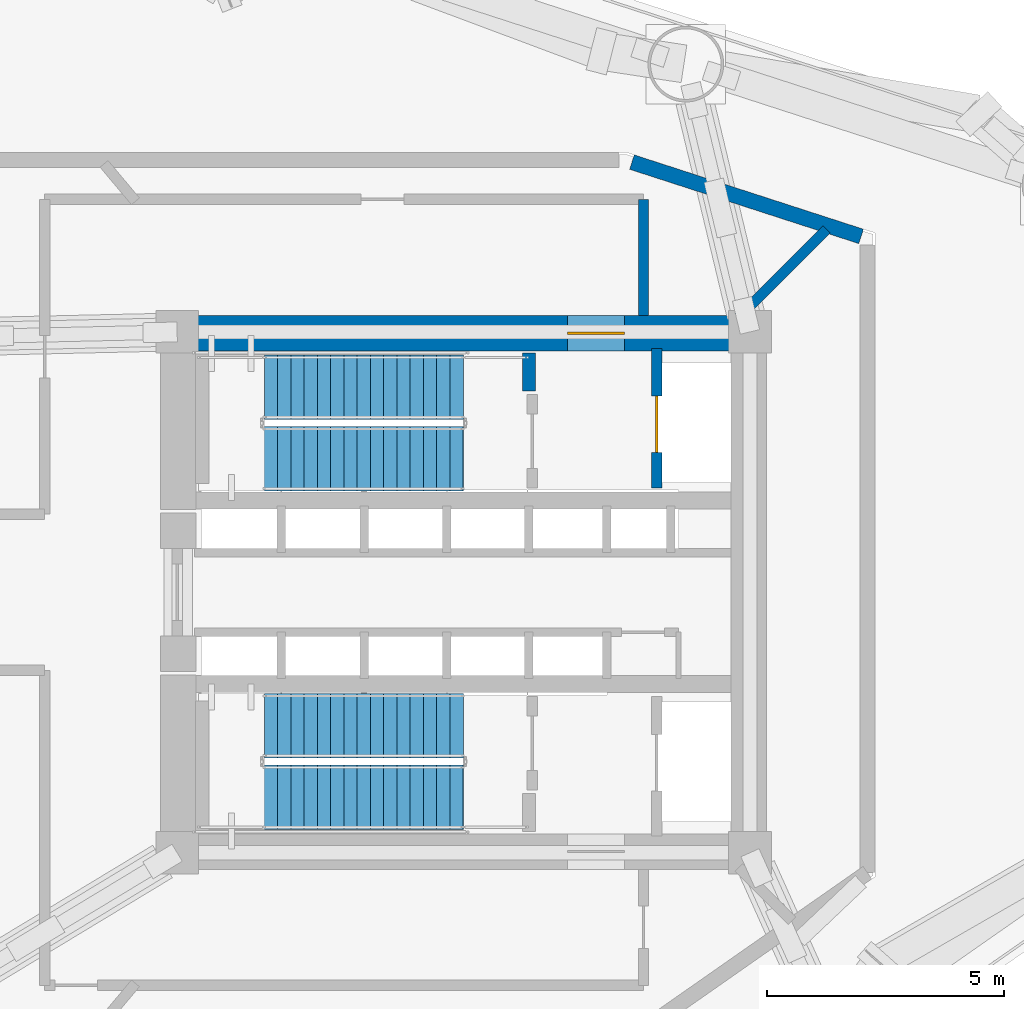
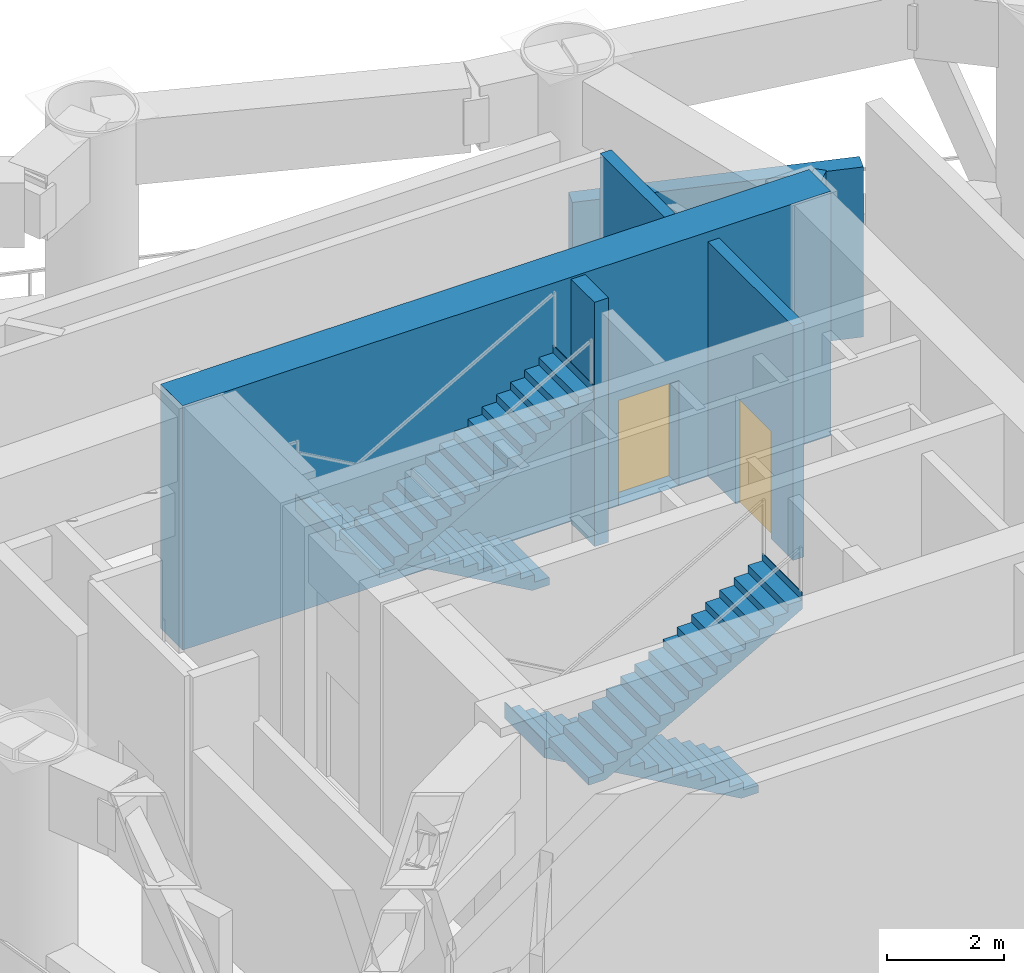
# One storey, part 5 of 8: 6 walls, 4 stair flights, 2 doors, 2 openings, 2 elements without a shape of their own.
"""IFC4 building model written with IfcOpenShell, lengths in metres."""

from ifc_helpers import new_model, si_unit, direction, frame, frame_2d, origin, place, context, subcontext, project, spatial, polyline, rectangle, outline, extrude, material, layer, layer_set, type_object, element, fill, aggregate, save


model = new_model("IFC4")

# Units and contexts
model_context = context("Model", 3, precision=1e-05, world=origin(), true_north=direction((0.0, 1.0)))
body_context = subcontext(model_context, "Body", "Model", "MODEL_VIEW")
ifc_project = project(units=[si_unit("LENGTHUNIT", "METRE"), si_unit("AREAUNIT", "SQUARE_METRE"), si_unit("VOLUMEUNIT", "CUBIC_METRE"), si_unit("PLANEANGLEUNIT", "RADIAN"), si_unit("MASSUNIT", "GRAM", prefix="KILO")], contexts=[model_context])

# Site, building, storey
site_placement = place(None, origin())
site = spatial("IfcSite", under=ifc_project, at=site_placement, CompositionType="ELEMENT")
building_placement = place(site_placement, origin())
building = spatial("IfcBuilding", under=site, at=building_placement, Name="Yunling Apex Tower", CompositionType="ELEMENT")
storey_placement = place(building_placement, frame((0.0, 0.0, 84.800048828125)))
storey = spatial("IfcBuildingStorey", under=building, at=storey_placement, Name="RF2", CompositionType="ELEMENT", Elevation=84.800048828125)

# Wall, opening, door
ifc_material_1 = material(Name="Concrete C60", Category="concrete")
ifc_layer_1 = layer(ifc_material_1, 0.75)
ifc_layer_set_1 = layer_set([ifc_layer_1], Name="Concrete C60")
wall_type_1 = type_object("IfcWallType", Name="WL-COR-1", PredefinedType="SHEAR", material=ifc_layer_set_1)
wall_1_placement = place(storey_placement, frame((-6.39990234375, 5.47509765625, 0.0), z_axis=(0.0, 0.0, 1.0), x_axis=(1.0, 0.0, 0.0)))
wall_1 = element("IfcWall", 1, at=wall_1_placement, inside=storey, type_object=wall_type_1, Name="RF2 North Core Shear Wall", PredefinedType="SHEAR", context=body_context, shape_type="SweptSolid", body=[
    extrude(rectangle(XDim=12.7998046875, YDim=0.75, at=frame_2d((6.39990234375, 0.0))), origin(), (0.0, 0.0, 1.0), 5.099853515625),
])
opening_1_placement = place(wall_1_placement, frame((8.60009765625, 0.0, 0.0)))
opening_1 = element("IfcOpeningElement", 2, at=opening_1_placement, cuts=wall_1, Name="Opening DR-FFL-1", PredefinedType="OPENING", context=body_context, shape_type="SweptSolid", body=[
    extrude(rectangle(XDim=1.199951171875, YDim=2.199951171875, at=frame_2d((0.60009765625, 1.10009765625))), frame((0.0, 0.385009765625, 0.0), z_axis=(0.0, -1.0, 0.0), x_axis=(1.0, 0.0, 0.0)), (0.0, 0.0, 1.0), 0.77001953125),
])
ifc_material_2 = material(Name="Steel Q355B", Category="steel")
door_type_1 = type_object("IfcDoorType", Name="DR-FFL-1", OperationType="NOTDEFINED", PredefinedType="DOOR", material=ifc_material_2)
door_1_placement = place(opening_1_placement, origin())
door_1 = element("IfcDoor", 3, at=door_1_placement, inside=storey, type_object=door_type_1, Name="RF2 North Firefighting Lobby Door", OperationType="SINGLE_SWING_LEFT", OverallHeight=2.199951171875, OverallWidth=1.199951171875, PredefinedType="DOOR", context=body_context, shape_type="SweptSolid", body=[
    extrude(rectangle(XDim=1.199951171875, YDim=2.199951171875, at=frame_2d((0.60009765625, 1.10009765625))), frame((0.0, 0.02490234375, 0.0), z_axis=(0.0, -1.0, 0.0), x_axis=(1.0, 0.0, 0.0)), (0.0, 0.0, 1.0), 0.050048828125),
])
fill(opening_1, door_1)

# Walls
ifc_material_3 = material(Name="Concrete C40", Category="concrete")
ifc_layer_2 = layer(ifc_material_3, 0.280029296875)
ifc_layer_set_2 = layer_set([ifc_layer_2], Name="Concrete C40")
wall_type_2 = type_object("IfcWallType", Name="WL-COR-8", PredefinedType="SHEAR", material=ifc_layer_set_2)
wall_2_placement = place(storey_placement, frame((1.3798828125, 4.25, 0.0), z_axis=(0.0, 0.0, 1.0), x_axis=(0.0, 1.0, 0.0)))
element("IfcWall", 4, at=wall_2_placement, inside=storey, type_object=wall_type_2, Name="RF2 ST-1 East Landing Bearing Pier", PredefinedType="SHEAR", context=body_context, shape_type="SweptSolid", body=[
    extrude(rectangle(XDim=0.800048828125, YDim=0.280029296875, at=frame_2d((0.39990234375, 0.0))), origin(), (0.0, 0.0, 1.0), 5.099853515625),
])
ifc_material_4 = material(Name="Precast concrete C40", Category="concrete")
ifc_layer_3 = layer(ifc_material_4, 0.320068359375)
ifc_layer_set_3 = layer_set([ifc_layer_3], Name="Precast concrete C40")
wall_type_3 = type_object("IfcWallType", Name="WL-EXT-1", PredefinedType="SOLIDWALL", material=ifc_layer_set_3)
wall_3_placement = place(storey_placement, frame((3.556884765625, 9.0869140625, 0.0), z_axis=(0.0, 0.0, 1.0), x_axis=(0.951270761555, -0.308356835843, 0.0)))
element("IfcWall", 5, at=wall_3_placement, inside=storey, type_object=wall_type_3, Name="WL-RF2-IR-06", PredefinedType="SOLIDWALL", context=body_context, shape_type="SweptSolid", body=[
    extrude(rectangle(XDim=5.087646484375, YDim=0.320068359375, at=frame_2d((2.5439453125, 0.0))), origin(), (0.0, 0.0, 1.0), 3.550048828125),
])

# Wall, opening, door
ifc_material_5 = material(Name="Autoclaved aerated concrete masonry", Category="masonry")
ifc_layer_4 = layer(ifc_material_5, 0.219970703125)
ifc_layer_set_4 = layer_set([ifc_layer_4], Name="Autoclaved aerated concrete masonry")
wall_type_4 = type_object("IfcWallType", Name="WL-SHF-1", PredefinedType="PLUMBINGWALL", material=ifc_layer_set_4)
wall_4_placement = place(storey_placement, frame((4.080078125, 2.199951171875, 0.0), z_axis=(0.0, 0.0, 1.0), x_axis=(0.0, 1.0, 0.0)))
wall_4 = element("IfcWall", 6, at=wall_4_placement, inside=storey, type_object=wall_type_4, Name="WL-FFL1-W-RF2", PredefinedType="PLUMBINGWALL", context=body_context, shape_type="SweptSolid", body=[
    extrude(rectangle(XDim=2.949951171875, YDim=0.219970703125, at=frame_2d((1.47509765625, 0.0))), origin(), (0.0, 0.0, 1.0), 4.89501953125),
])
opening_2_placement = place(wall_4_placement, frame((0.75, 0.0, 0.0)))
opening_2 = element("IfcOpeningElement", 7, at=opening_2_placement, cuts=wall_4, Name="Opening LD-FFL-1", PredefinedType="OPENING", context=body_context, shape_type="SweptSolid", body=[
    extrude(rectangle(XDim=1.199951171875, YDim=2.25, at=frame_2d((0.60009765625, 1.125))), frame((0.0, 0.1201171875, 0.0), z_axis=(0.0, -1.0, 0.0), x_axis=(1.0, 0.0, 0.0)), (0.0, 0.0, 1.0), 0.239990234375),
])
door_type_2 = type_object("IfcDoorType", Name="LD-FFL-1", OperationType="DOUBLE_DOOR_SLIDING", PredefinedType="DOOR", material=ifc_material_2)
door_2_placement = place(opening_2_placement, origin())
door_2 = element("IfcDoor", 8, at=door_2_placement, inside=storey, type_object=door_type_2, Name="RF2 Lift FFL-1 Landing Door", OperationType="DOUBLE_DOOR_SLIDING", OverallHeight=2.25, OverallWidth=1.199951171875, PredefinedType="DOOR", context=body_context, shape_type="SweptSolid", body=[
    extrude(rectangle(XDim=1.199951171875, YDim=2.25, at=frame_2d((0.60009765625, 1.125))), frame((0.0, 0.02490234375, 0.0), z_axis=(0.0, -1.0, 0.0), x_axis=(1.0, 0.0, 0.0)), (0.0, 0.0, 1.0), 0.050048828125),
])
fill(opening_2, door_2)

# Walls
wall_5_placement = place(storey_placement, frame((5.81005859375, 5.81005859375, 0.0), z_axis=(0.0, 0.0, 1.0), x_axis=(0.707106781187, 0.707106781187, 0.0)))
element("IfcWall", 9, at=wall_5_placement, inside=storey, type_object=wall_type_4, Name="WL-RF2-PDIV-45", PredefinedType="PLUMBINGWALL", context=body_context, shape_type="SweptSolid", body=[
    extrude(rectangle(XDim=2.6298828125, YDim=0.219970703125, at=frame_2d((1.31494140625, 0.0))), origin(), (0.0, 0.0, 1.0), 3.550048828125),
])
wall_6_placement = place(storey_placement, frame((3.800048828125, 8.300048828125, 0.0), z_axis=(0.0, 0.0, 1.0), x_axis=(0.0, -1.0, 0.0)))
element("IfcWall", 10, at=wall_6_placement, inside=storey, type_object=wall_type_4, Name="WL-RF2-PCR-09", PredefinedType="PLUMBINGWALL", context=body_context, shape_type="SweptSolid", body=[
    extrude(rectangle(XDim=2.449951171875, YDim=0.219970703125, at=frame_2d((1.22509765625, 0.0))), origin(), (0.0, 0.0, 1.0), 4.89501953125),
])

# Stair, stair flights
stair_type = type_object("IfcStairType", Name="ST-TWR-1", PredefinedType="HALF_TURN_STAIR", material=ifc_material_3)
stair_1_placement = place(storey_placement, origin())
stair_1 = element("IfcStair", 11, at=stair_1_placement, inside=storey, type_object=stair_type, Name="RF2 North Core Smokeproof Exit Stair ST-1", PredefinedType="HALF_TURN_STAIR")
stair_flight_type = type_object("IfcStairFlightType", Name="SFL-TWR-1", PredefinedType="STRAIGHT", material=ifc_material_3)
stair_flight_1_placement = place(storey_placement, frame((-0.010009765625, 4.330078125, 0.0), z_axis=(0.0, 0.0, 1.0), x_axis=(-1.0, 0.0, 0.0)))
stair_flight_1 = element("IfcStairFlight", 12, at=stair_flight_1_placement, type_object=stair_flight_type, Name="ST-1 flight 1", NumberOfRisers=16, NumberOfTreads=15, PredefinedType="STRAIGHT", RiserHeight=0.159375, TreadLength=0.28, context=body_context, shape_type="SweptSolid", body=[
    extrude(outline(polyline([(-0.011962890625, 0.0), (-0.011962890625, 0.159423828125), (0.0, 0.159423828125), (0.280029296875, 0.159423828125), (0.280029296875, 0.31884765625), (0.56005859375, 0.31884765625), (0.56005859375, 0.47802734375), (0.840087890625, 0.47802734375), (0.840087890625, 0.637451171875), (1.1201171875, 0.637451171875), (1.1201171875, 0.796875), (1.39990234375, 0.796875), (1.39990234375, 0.956298828125), (1.679931640625, 0.956298828125), (1.679931640625, 1.11572265625), (1.9599609375, 1.11572265625), (1.9599609375, 1.27490234375), (2.239990234375, 1.27490234375), (2.239990234375, 1.434326171875), (2.52001953125, 1.434326171875), (2.52001953125, 1.59375), (2.800048828125, 1.59375), (2.800048828125, 1.753173828125), (3.080078125, 1.753173828125), (3.080078125, 1.91259765625), (3.360107421875, 1.91259765625), (3.360107421875, 2.07177734375), (3.639892578125, 2.07177734375), (3.639892578125, 2.231201171875), (3.919921875, 2.231201171875), (3.919921875, 2.390625), (4.199951171875, 2.390625), (4.199951171875, 2.550048828125), (4.2119140625, 2.550048828125), (4.2119140625, 2.20654296875), (0.3232421875, 0.0), (-0.011962890625, 0.0)])), frame((0.0, 0.68017578125, 0.0), z_axis=(0.0, -1.0, 0.0), x_axis=(1.0, 0.0, 0.0)), (0.0, 0.0, 1.0), 1.360107421875),
])
stair_flight_2_placement = place(storey_placement, frame((-4.2099609375, 2.820068359375, 2.550048828125), z_axis=(0.0, 0.0, 1.0), x_axis=(1.0, 0.0, 0.0)))
stair_flight_2 = element("IfcStairFlight", 13, at=stair_flight_2_placement, type_object=stair_flight_type, Name="ST-1 flight 2", NumberOfRisers=16, NumberOfTreads=15, PredefinedType="STRAIGHT", RiserHeight=0.159375, TreadLength=0.28, context=body_context, shape_type="SweptSolid", body=[
    extrude(outline(polyline([(-0.011962890625, 0.0), (-0.011962890625, 0.159423828125), (0.0, 0.159423828125), (0.280029296875, 0.159423828125), (0.280029296875, 0.31884765625), (0.56005859375, 0.31884765625), (0.56005859375, 0.47802734375), (0.840087890625, 0.47802734375), (0.840087890625, 0.637451171875), (1.1201171875, 0.637451171875), (1.1201171875, 0.796875), (1.39990234375, 0.796875), (1.39990234375, 0.956298828125), (1.679931640625, 0.956298828125), (1.679931640625, 1.11572265625), (1.9599609375, 1.11572265625), (1.9599609375, 1.27490234375), (2.239990234375, 1.27490234375), (2.239990234375, 1.434326171875), (2.52001953125, 1.434326171875), (2.52001953125, 1.59375), (2.800048828125, 1.59375), (2.800048828125, 1.753173828125), (3.080078125, 1.753173828125), (3.080078125, 1.91259765625), (3.360107421875, 1.91259765625), (3.360107421875, 2.07177734375), (3.639892578125, 2.07177734375), (3.639892578125, 2.231201171875), (3.919921875, 2.231201171875), (3.919921875, 2.390625), (4.199951171875, 2.390625), (4.199951171875, 2.550048828125), (4.2119140625, 2.550048828125), (4.2119140625, 2.20654296875), (0.3232421875, 0.0), (-0.011962890625, 0.0)])), frame((0.0, 0.68017578125, 0.0), z_axis=(0.0, -1.0, 0.0), x_axis=(1.0, 0.0, 0.0)), (0.0, 0.0, 1.0), 1.360107421875),
])
aggregate(stair_1, [stair_flight_1, stair_flight_2])

stair_2_placement = place(storey_placement, origin())
stair_2 = element("IfcStair", 14, at=stair_2_placement, inside=storey, type_object=stair_type, Name="RF2 South Core Smokeproof Exit Stair ST-2", PredefinedType="HALF_TURN_STAIR")
stair_flight_3_placement = place(storey_placement, frame((-0.010009765625, -2.820068359375, 0.0), z_axis=(0.0, 0.0, 1.0), x_axis=(-1.0, 0.0, 0.0)))
stair_flight_3 = element("IfcStairFlight", 15, at=stair_flight_3_placement, type_object=stair_flight_type, Name="ST-2 flight 1", NumberOfRisers=16, NumberOfTreads=15, PredefinedType="STRAIGHT", RiserHeight=0.159375, TreadLength=0.28, context=body_context, shape_type="SweptSolid", body=[
    extrude(outline(polyline([(-0.011962890625, 0.0), (-0.011962890625, 0.159423828125), (0.0, 0.159423828125), (0.280029296875, 0.159423828125), (0.280029296875, 0.31884765625), (0.56005859375, 0.31884765625), (0.56005859375, 0.47802734375), (0.840087890625, 0.47802734375), (0.840087890625, 0.637451171875), (1.1201171875, 0.637451171875), (1.1201171875, 0.796875), (1.39990234375, 0.796875), (1.39990234375, 0.956298828125), (1.679931640625, 0.956298828125), (1.679931640625, 1.11572265625), (1.9599609375, 1.11572265625), (1.9599609375, 1.27490234375), (2.239990234375, 1.27490234375), (2.239990234375, 1.434326171875), (2.52001953125, 1.434326171875), (2.52001953125, 1.59375), (2.800048828125, 1.59375), (2.800048828125, 1.753173828125), (3.080078125, 1.753173828125), (3.080078125, 1.91259765625), (3.360107421875, 1.91259765625), (3.360107421875, 2.07177734375), (3.639892578125, 2.07177734375), (3.639892578125, 2.231201171875), (3.919921875, 2.231201171875), (3.919921875, 2.390625), (4.199951171875, 2.390625), (4.199951171875, 2.550048828125), (4.2119140625, 2.550048828125), (4.2119140625, 2.20654296875), (0.3232421875, 0.0), (-0.011962890625, 0.0)])), frame((0.0, 0.68017578125, 0.0), z_axis=(0.0, -1.0, 0.0), x_axis=(1.0, 0.0, 0.0)), (0.0, 0.0, 1.0), 1.360107421875),
])
stair_flight_4_placement = place(storey_placement, frame((-4.2099609375, -4.330078125, 2.550048828125), z_axis=(0.0, 0.0, 1.0), x_axis=(1.0, 0.0, 0.0)))
stair_flight_4 = element("IfcStairFlight", 16, at=stair_flight_4_placement, type_object=stair_flight_type, Name="ST-2 flight 2", NumberOfRisers=16, NumberOfTreads=15, PredefinedType="STRAIGHT", RiserHeight=0.159375, TreadLength=0.28, context=body_context, shape_type="SweptSolid", body=[
    extrude(outline(polyline([(-0.011962890625, 0.0), (-0.011962890625, 0.159423828125), (0.0, 0.159423828125), (0.280029296875, 0.159423828125), (0.280029296875, 0.31884765625), (0.56005859375, 0.31884765625), (0.56005859375, 0.47802734375), (0.840087890625, 0.47802734375), (0.840087890625, 0.637451171875), (1.1201171875, 0.637451171875), (1.1201171875, 0.796875), (1.39990234375, 0.796875), (1.39990234375, 0.956298828125), (1.679931640625, 0.956298828125), (1.679931640625, 1.11572265625), (1.9599609375, 1.11572265625), (1.9599609375, 1.27490234375), (2.239990234375, 1.27490234375), (2.239990234375, 1.434326171875), (2.52001953125, 1.434326171875), (2.52001953125, 1.59375), (2.800048828125, 1.59375), (2.800048828125, 1.753173828125), (3.080078125, 1.753173828125), (3.080078125, 1.91259765625), (3.360107421875, 1.91259765625), (3.360107421875, 2.07177734375), (3.639892578125, 2.07177734375), (3.639892578125, 2.231201171875), (3.919921875, 2.231201171875), (3.919921875, 2.390625), (4.199951171875, 2.390625), (4.199951171875, 2.550048828125), (4.2119140625, 2.550048828125), (4.2119140625, 2.20654296875), (0.3232421875, 0.0), (-0.011962890625, 0.0)])), frame((0.0, 0.68017578125, 0.0), z_axis=(0.0, -1.0, 0.0), x_axis=(1.0, 0.0, 0.0)), (0.0, 0.0, 1.0), 1.360107421875),
])
aggregate(stair_2, [stair_flight_3, stair_flight_4])

save(model, "model.ifc")
